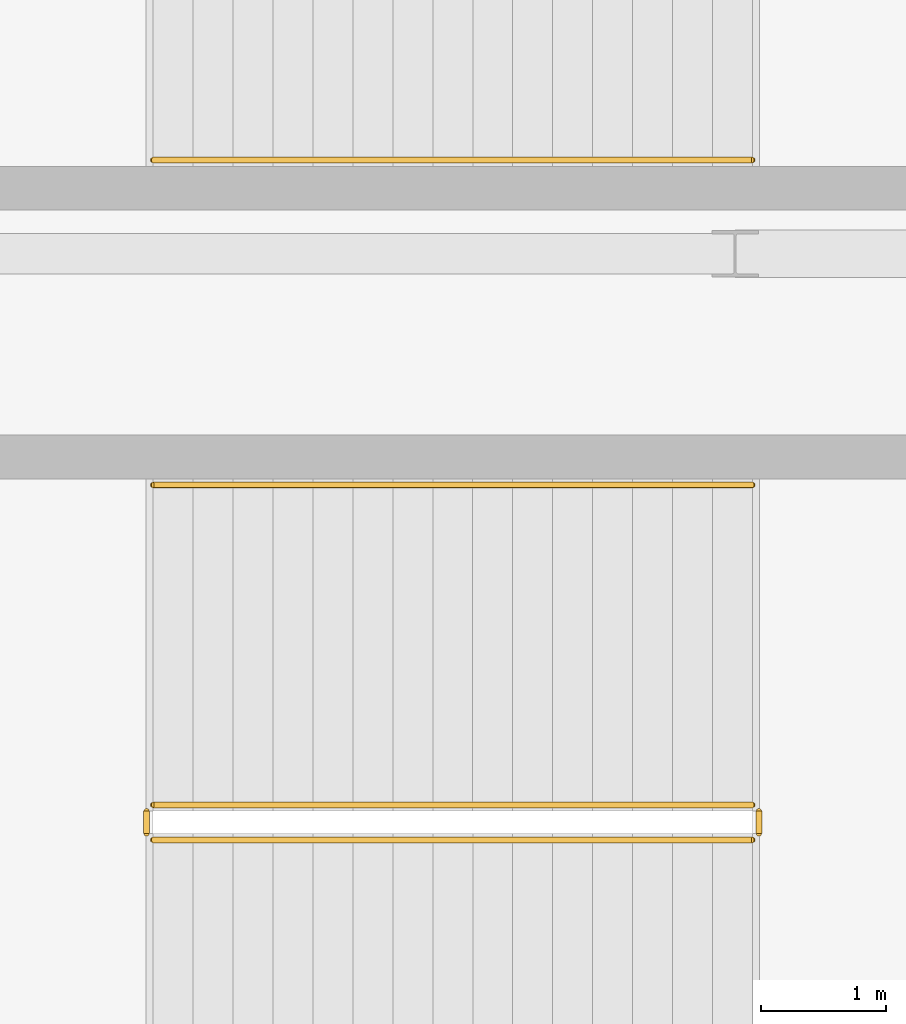
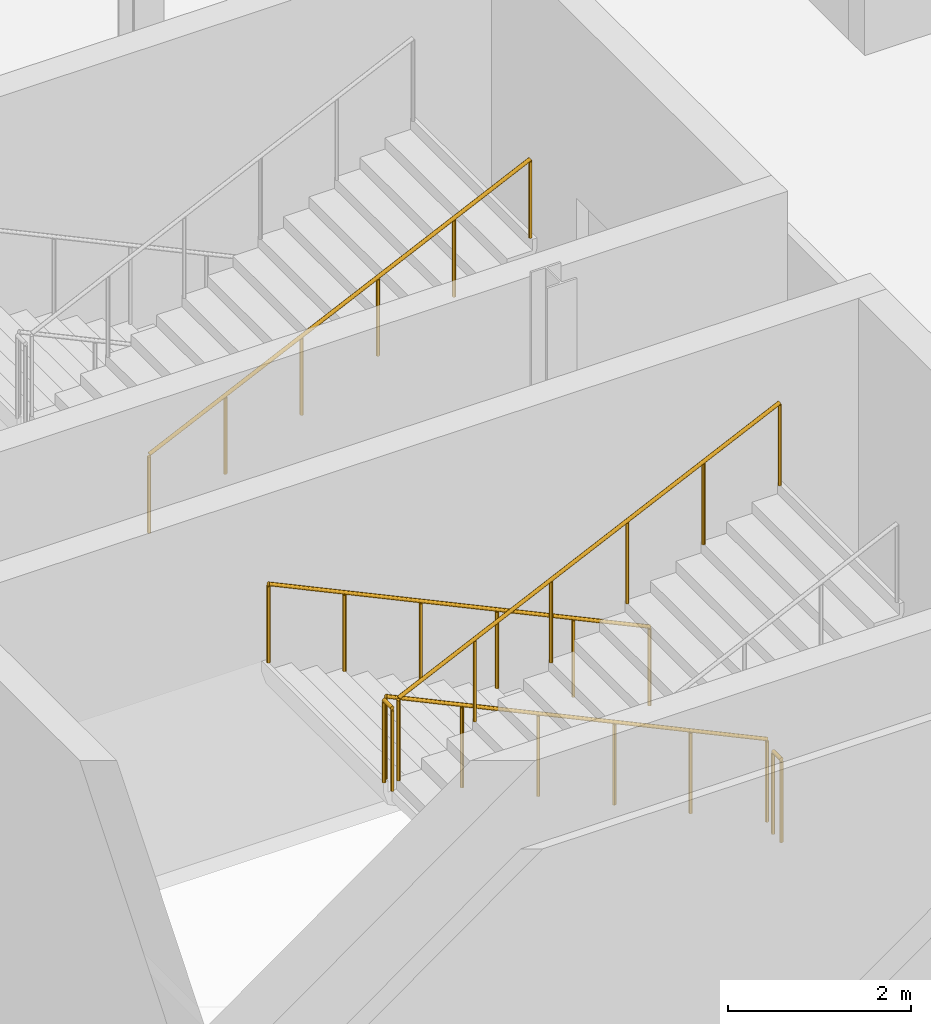
# One storey, part 62 of 69: 6 railings.
"""IFC4 building model written with IfcOpenShell, lengths in metres."""

import ifcopenshell
import ifcopenshell.guid

model = None  # the IFC model being written
_history = None  # IfcOwnerHistory: only IFC2X3 demands one
_inside = {}  # id of a spatial element -> (the spatial element, [elements in it])
_under = {}  # id of a project, library or spatial element -> (it, [spatial elements below it])
_declared = {}  # id of a project -> (the project, [libraries it declares])
_typed = {}  # id of a type object -> (the type object, [elements of that type])
_made_of = {}  # id of a material, layer set ... -> (it, [elements and type objects made of it])


def new_model(schema):
    """Start an empty IFC model of exactly this schema.

    Asked for "IFC4X3", IfcOpenShell would pick the latest addendum, in which some entities
    have other attributes; the version numbers below select the first issue.
    IFC2X3 requires an IfcOwnerHistory on every rooted entity: one is made here for all.
    """
    global model, _history
    if schema == "IFC4X3":
        model = ifcopenshell.file(schema_version=(4, 3, 0, 0))
    else:
        model = ifcopenshell.file(schema=schema)
    _inside.clear()
    _under.clear()
    _declared.clear()
    _typed.clear()
    _made_of.clear()
    _history = None
    if model.schema == "IFC2X3":
        org = make("IfcOrganization", Name="unknown")
        user = make(
            "IfcPersonAndOrganization",
            ThePerson=make("IfcPerson", FamilyName="unknown"),
            TheOrganization=org,
        )
        app = make(
            "IfcApplication",
            ApplicationDeveloper=org,
            Version="unknown",
            ApplicationFullName="unknown",
            ApplicationIdentifier="unknown",
        )
        _history = make(
            "IfcOwnerHistory",
            OwningUser=user,
            OwningApplication=app,
            ChangeAction="ADDED",
            CreationDate=0,
        )
    return model


def make(cls, **values):
    """One entity of the class cls with the attributes given. An attribute that is None is left unset."""
    return model.create_entity(
        cls, **{name: value for name, value in values.items() if value is not None}
    )


def rooted(cls, **values):
    """An entity with a GlobalId (a new one), such as an element, a storey or a relation."""
    return make(cls, GlobalId=ifcopenshell.guid.new(), OwnerHistory=_history, **values)


def si_unit(unit_type, name, prefix=None):
    """IfcSIUnit, for example si_unit("LENGTHUNIT", "METRE", prefix="MILLI")."""
    return make("IfcSIUnit", UnitType=unit_type, Prefix=prefix, Name=name)


def assignment(units):
    """IfcUnitAssignment: the units of a project."""
    return None if units is None else make("IfcUnitAssignment", Units=units)


def point(xyz):
    """IfcCartesianPoint."""
    return None if xyz is None else make("IfcCartesianPoint", Coordinates=xyz)


def direction(xyz):
    """IfcDirection."""
    return None if xyz is None else make("IfcDirection", DirectionRatios=xyz)


def frame(location, z_axis=None, x_axis=None):
    """IfcAxis2Placement3D, a coordinate frame: its origin and axes. An axis left out is left unset."""
    return make(
        "IfcAxis2Placement3D",
        Location=point(location),
        Axis=direction(z_axis),
        RefDirection=direction(x_axis),
    )


def frame_2d(location, x_axis=None):
    """IfcAxis2Placement2D, a coordinate frame in the plane: its origin and x axis."""
    return make(
        "IfcAxis2Placement2D", Location=point(location), RefDirection=direction(x_axis)
    )


def origin():
    """The frame at (0, 0, 0) with its axes left unset."""
    return frame((0.0, 0.0, 0.0))


def origin_2d():
    """The frame at (0, 0) in the plane with its x axis left unset."""
    return frame_2d((0.0, 0.0))


def place(relative_to, where):
    """IfcLocalPlacement: puts the frame where relative to a parent placement (None: the world)."""
    return make(
        "IfcLocalPlacement", PlacementRelTo=relative_to, RelativePlacement=where
    )


def context(
    kind, dimensions, precision=None, world=None, true_north=None, identifier=None
):
    """IfcGeometricRepresentationContext, for example the 3D "Model" context."""
    return make(
        "IfcGeometricRepresentationContext",
        ContextIdentifier=identifier,
        ContextType=kind,
        CoordinateSpaceDimension=dimensions,
        Precision=precision,
        WorldCoordinateSystem=world,
        TrueNorth=true_north,
    )


def subcontext(parent, identifier, kind, view, scale=None):
    """IfcGeometricRepresentationSubContext, for example "Body" below "Model"."""
    return make(
        "IfcGeometricRepresentationSubContext",
        ContextIdentifier=identifier,
        ContextType=kind,
        ParentContext=parent,
        TargetScale=scale,
        TargetView=view,
    )


def project(units=None, contexts=None):
    """IfcProject with its units and contexts."""
    return rooted(
        "IfcProject",
        Name="project",
        RepresentationContexts=contexts,
        UnitsInContext=assignment(units),
    )


def spatial(cls, under=None, at=None, **own):
    """A site, building, storey or space (cls), placed at a placement, below another one or the project."""
    s = rooted(cls, ObjectPlacement=at, **own)
    if under is not None:
        _under.setdefault(under.id(), (under, []))[1].append(s)
    return s


def profile(cls, at=None, kind="AREA", **sizes):
    """A parametric profile (cls). Its sizes go by their IFC names, for example OverallWidth=200.0."""
    return make(cls, ProfileType=kind, Position=at, **sizes)


def circle(**sizes):
    """IfcCircleProfileDef."""
    return profile("IfcCircleProfileDef", **sizes)


def extrude(swept, where, along, depth):
    """IfcExtrudedAreaSolid: the profile swept, set in the frame where, extruded along a direction by depth."""
    return make(
        "IfcExtrudedAreaSolid",
        SweptArea=swept,
        Position=where,
        ExtrudedDirection=direction(along),
        Depth=depth,
    )


def shape(context_of_items, identifier, shape_type, items):
    """IfcShapeRepresentation: the items that make up one representation, for example the "Body"."""
    return make(
        "IfcShapeRepresentation",
        ContextOfItems=context_of_items,
        RepresentationIdentifier=identifier,
        RepresentationType=shape_type,
        Items=items,
    )


def material(Name=None, Category=None):
    """IfcMaterial."""
    return make("IfcMaterial", Name=Name, Category=Category)


def made_of(thing, what):
    """Note that an element or type object is made of a material, layer set ...; save() writes the relation."""
    if what is not None:
        _made_of.setdefault(what.id(), (what, []))[1].append(thing)
    return thing


def type_object(cls, material=None, **own):
    """A type object (cls), such as IfcWallType, which elements share."""
    return made_of(rooted(cls, **own), material)


def element(
    cls,
    number,
    at=None,
    inside=None,
    cuts=None,
    type_object=None,
    material=None,
    context=None,
    identifier="Body",
    shape_type=None,
    held_by="IfcProductDefinitionShape",
    body=None,
    shapes=None,
    **own,
):
    """One element of the class cls, such as IfcWall. Its Tag is "e" and its number.

    at: its placement. inside: the storey or other place that contains it. cuts: it is an
    opening in that element (IfcRelVoidsElement). A single representation is given by context,
    identifier, shape_type and body (its items); several are given by shapes. held_by: the class
    of the entity that holds the representations. save() writes the other relations.
    """
    e = rooted(cls, Tag="e%d" % number, ObjectPlacement=at, **own)
    if body is not None:
        shapes = [shape(context, identifier, shape_type, body)]
    if shapes is not None:
        e.Representation = make(held_by, Representations=shapes)
    if inside is not None:
        _inside.setdefault(inside.id(), (inside, []))[1].append(e)
    if cuts is not None:
        rooted(
            "IfcRelVoidsElement", RelatingBuildingElement=cuts, RelatedOpeningElement=e
        )
    if type_object is not None:
        _typed.setdefault(type_object.id(), (type_object, []))[1].append(e)
    return made_of(e, material)


def aggregate(whole, parts):
    """IfcRelAggregates: a whole, such as a stair, and the parts it consists of."""
    return rooted("IfcRelAggregates", RelatingObject=whole, RelatedObjects=parts)


def save(model, path):
    """Write the relations noted so far, then the file.

    IfcRelAggregates (storeys below a building ...), IfcRelContainedInSpatialStructure (elements
    in a storey), IfcRelDefinesByType, IfcRelAssociatesMaterial and IfcRelDeclares: one each for
    every whole, place, type object, material and project.
    """
    for whole, parts in _under.values():
        aggregate(whole, parts)
    for where, things in _inside.values():
        rooted(
            "IfcRelContainedInSpatialStructure",
            RelatedElements=things,
            RelatingStructure=where,
        )
    for kind, things in _typed.values():
        rooted("IfcRelDefinesByType", RelatedObjects=things, RelatingType=kind)
    for what, things in _made_of.values():
        rooted("IfcRelAssociatesMaterial", RelatedObjects=things, RelatingMaterial=what)
    for by, libraries in _declared.values():
        rooted("IfcRelDeclares", RelatingContext=by, RelatedDefinitions=libraries)
    model.write(path)


model = new_model("IFC4")

# Units and contexts
model_context = context("Model", 3, precision=1e-05, world=origin(), true_north=direction((0.0, 1.0)))
body_context = subcontext(model_context, "Body", "Model", "MODEL_VIEW")
ifc_project = project(units=[si_unit("LENGTHUNIT", "METRE"), si_unit("AREAUNIT", "SQUARE_METRE"), si_unit("VOLUMEUNIT", "CUBIC_METRE"), si_unit("PLANEANGLEUNIT", "RADIAN"), si_unit("MASSUNIT", "GRAM", prefix="KILO")], contexts=[model_context])

# Site, building, storey
site_placement = place(None, origin())
site = spatial("IfcSite", under=ifc_project, at=site_placement, CompositionType="ELEMENT")
building_placement = place(site_placement, origin())
building = spatial("IfcBuilding", under=site, at=building_placement, Name="Qamarlyn Nura Convention Centre", CompositionType="ELEMENT")
storey_placement = place(building_placement, frame((0.0, 0.0, 15.60009765625)))
storey = spatial("IfcBuildingStorey", under=building, at=storey_placement, Name="L03", CompositionType="ELEMENT", Elevation=15.60009765625)

# Railings
ifc_material = material(Name="Marine Grade 316 stainless steel", Category="steel")
railing_type_1 = type_object("IfcRailingType", Name="GRD-STAIR-112", PredefinedType="BALUSTRADE", material=ifc_material)
railing_1_placement = place(storey_placement, frame((171.139892578125, 58.590087890625, 0.14990234375)))
element("IfcRailing", 1, at=railing_1_placement, inside=storey, type_object=railing_type_1, Name="L03 ST-11 stair guard 1", PredefinedType="BALUSTRADE", context=body_context, shape_type="SweptSolid", body=[
    extrude(circle(Radius=0.02392578125, at=origin_2d()), frame((0.0, 0.0, 1.09619140625), z_axis=(-0.905452298538, 0.0, 0.424448035774), x_axis=(0.0, -1.0, 0.0)), (0.0, 0.0, 1.0), 5.301025390625),
    extrude(circle(Radius=0.02099609375, at=origin_2d()), origin(), (0.0, 0.0, 1.0), 1.070068359375),
    extrude(circle(Radius=0.02099609375, at=origin_2d()), frame((-0.9599609375, 0.0, 0.449951171875)), (0.0, 0.0, 1.0), 1.070068359375),
    extrude(circle(Radius=0.02099609375, at=origin_2d()), frame((-1.919921875, 0.0, 0.89990234375)), (0.0, 0.0, 1.0), 1.070068359375),
    extrude(circle(Radius=0.02099609375, at=origin_2d()), frame((-2.8798828125, 0.0, 1.35009765625)), (0.0, 0.0, 1.0), 1.070068359375),
    extrude(circle(Radius=0.02099609375, at=origin_2d()), frame((-3.83984375, 0.0, 1.800048828125)), (0.0, 0.0, 1.0), 1.070068359375),
    extrude(circle(Radius=0.02099609375, at=origin_2d()), frame((-4.7998046875, 0.0, 2.25)), (0.0, 0.0, 1.0), 1.070068359375),
])
railing_2_placement = place(storey_placement, frame((166.2900390625, 58.5400390625, 2.39990234375)))
element("IfcRailing", 2, at=railing_2_placement, inside=storey, type_object=railing_type_1, Name="L03 ST-11 stair guard 2", PredefinedType="BALUSTRADE", context=body_context, shape_type="SweptSolid", body=[
    extrude(circle(Radius=0.02392578125, at=origin_2d()), frame((0.0, 0.0, 1.09619140625), z_axis=(0.0, -1.0, 0.0), x_axis=(1.0, 0.0, 0.0)), (0.0, 0.0, 1.0), 0.179931640625),
    extrude(circle(Radius=0.02099609375, at=origin_2d()), origin(), (0.0, 0.0, 1.0), 1.070068359375),
    extrude(circle(Radius=0.02099609375, at=origin_2d()), frame((0.0, -0.179931640625, 0.0)), (0.0, 0.0, 1.0), 1.070068359375),
])
railing_3_placement = place(storey_placement, frame((166.340087890625, 58.31005859375, 2.5498046875)))
element("IfcRailing", 3, at=railing_3_placement, inside=storey, type_object=railing_type_1, Name="L03 ST-11 stair guard 3", PredefinedType="BALUSTRADE", context=body_context, shape_type="SweptSolid", body=[
    extrude(circle(Radius=0.02392578125, at=origin_2d()), frame((0.0, 0.0, 1.09619140625), z_axis=(0.905452298538, 0.0, 0.424448035774), x_axis=(0.0, 1.0, 0.0)), (0.0, 0.0, 1.0), 5.301025390625),
    extrude(circle(Radius=0.02099609375, at=origin_2d()), origin(), (0.0, 0.0, 1.0), 1.070068359375),
    extrude(circle(Radius=0.02099609375, at=origin_2d()), frame((0.9599609375, 0.0, 0.449951171875)), (0.0, 0.0, 1.0), 1.070068359375),
    extrude(circle(Radius=0.02099609375, at=origin_2d()), frame((1.919921875, 0.0, 0.89990234375)), (0.0, 0.0, 1.0), 1.070068359375),
    extrude(circle(Radius=0.02099609375, at=origin_2d()), frame((2.8798828125, 0.0, 1.35009765625)), (0.0, 0.0, 1.0), 1.070068359375),
    extrude(circle(Radius=0.02099609375, at=origin_2d()), frame((3.83984375, 0.0, 1.800048828125)), (0.0, 0.0, 1.0), 1.070068359375),
    extrude(circle(Radius=0.02099609375, at=origin_2d()), frame((4.7998046875, 0.0, 2.25)), (0.0, 0.0, 1.0), 1.070068359375),
])
railing_4_placement = place(storey_placement, frame((171.18994140625, 58.5400390625, 0.0)))
element("IfcRailing", 4, at=railing_4_placement, inside=storey, type_object=railing_type_1, Name="L03 ST-11 stair guard 4", PredefinedType="BALUSTRADE", context=body_context, shape_type="SweptSolid", body=[
    extrude(circle(Radius=0.02392578125, at=origin_2d()), frame((0.0, 0.0, 1.09619140625), z_axis=(0.0, -1.0, 0.0), x_axis=(1.0, 0.0, 0.0)), (0.0, 0.0, 1.0), 0.179931640625),
    extrude(circle(Radius=0.02099609375, at=origin_2d()), origin(), (0.0, 0.0, 1.0), 1.070068359375),
    extrude(circle(Radius=0.02099609375, at=origin_2d()), frame((0.0, -0.179931640625, 0.0)), (0.0, 0.0, 1.0), 1.070068359375),
])
railing_type_2 = type_object("IfcRailingType", Name="HRL-STAIR-090", PredefinedType="HANDRAIL", material=ifc_material)
railing_5_placement = place(storey_placement, frame((171.139892578125, 61.14990234375, 0.30224609375)))
element("IfcRailing", 5, at=railing_5_placement, inside=storey, type_object=railing_type_2, Name="L03 ST-11 stair handrail 1", PredefinedType="HANDRAIL", context=body_context, shape_type="SweptSolid", body=[
    extrude(circle(Radius=0.02392578125, at=origin_2d()), frame((0.0, 0.0, 0.88818359375), z_axis=(-0.905452298538, 0.0, 0.424448035774), x_axis=(0.0, -1.0, 0.0)), (0.0, 0.0, 1.0), 5.301025390625),
    extrude(circle(Radius=0.02099609375, at=origin_2d()), frame((0.0, 0.0, -0.155029296875)), (0.0, 0.0, 1.0), 1.01708984375),
    extrude(circle(Radius=0.02099609375, at=origin_2d()), frame((-0.9599609375, 0.0, 0.294921875)), (0.0, 0.0, 1.0), 1.01708984375),
    extrude(circle(Radius=0.02099609375, at=origin_2d()), frame((-1.919921875, 0.0, 0.744873046875)), (0.0, 0.0, 1.0), 1.01708984375),
    extrude(circle(Radius=0.02099609375, at=origin_2d()), frame((-2.8798828125, 0.0, 1.195068359375)), (0.0, 0.0, 1.0), 1.01708984375),
    extrude(circle(Radius=0.02099609375, at=origin_2d()), frame((-3.83984375, 0.0, 1.64501953125)), (0.0, 0.0, 1.0), 1.01708984375),
    extrude(circle(Radius=0.02099609375, at=origin_2d()), frame((-4.7998046875, 0.0, 2.094970703125)), (0.0, 0.0, 1.0), 1.01708984375),
])
railing_6_placement = place(storey_placement, frame((166.340087890625, 63.75, 2.7021484375)))
element("IfcRailing", 6, at=railing_6_placement, inside=storey, type_object=railing_type_2, Name="L03 ST-12 stair handrail 2", PredefinedType="HANDRAIL", context=body_context, shape_type="SweptSolid", body=[
    extrude(circle(Radius=0.02392578125, at=origin_2d()), frame((0.0, 0.0, 0.88818359375), z_axis=(0.905452298538, 0.0, 0.424448035774), x_axis=(0.0, 1.0, 0.0)), (0.0, 0.0, 1.0), 5.301025390625),
    extrude(circle(Radius=0.02099609375, at=origin_2d()), frame((0.0, 0.0, -0.155029296875)), (0.0, 0.0, 1.0), 1.01708984375),
    extrude(circle(Radius=0.02099609375, at=origin_2d()), frame((0.9599609375, 0.0, 0.294921875)), (0.0, 0.0, 1.0), 1.01708984375),
    extrude(circle(Radius=0.02099609375, at=origin_2d()), frame((1.919921875, 0.0, 0.744873046875)), (0.0, 0.0, 1.0), 1.01708984375),
    extrude(circle(Radius=0.02099609375, at=origin_2d()), frame((2.8798828125, 0.0, 1.195068359375)), (0.0, 0.0, 1.0), 1.01708984375),
    extrude(circle(Radius=0.02099609375, at=origin_2d()), frame((3.83984375, 0.0, 1.64501953125)), (0.0, 0.0, 1.0), 1.01708984375),
    extrude(circle(Radius=0.02099609375, at=origin_2d()), frame((4.7998046875, 0.0, 2.094970703125)), (0.0, 0.0, 1.0), 1.01708984375),
])

save(model, "model.ifc")
